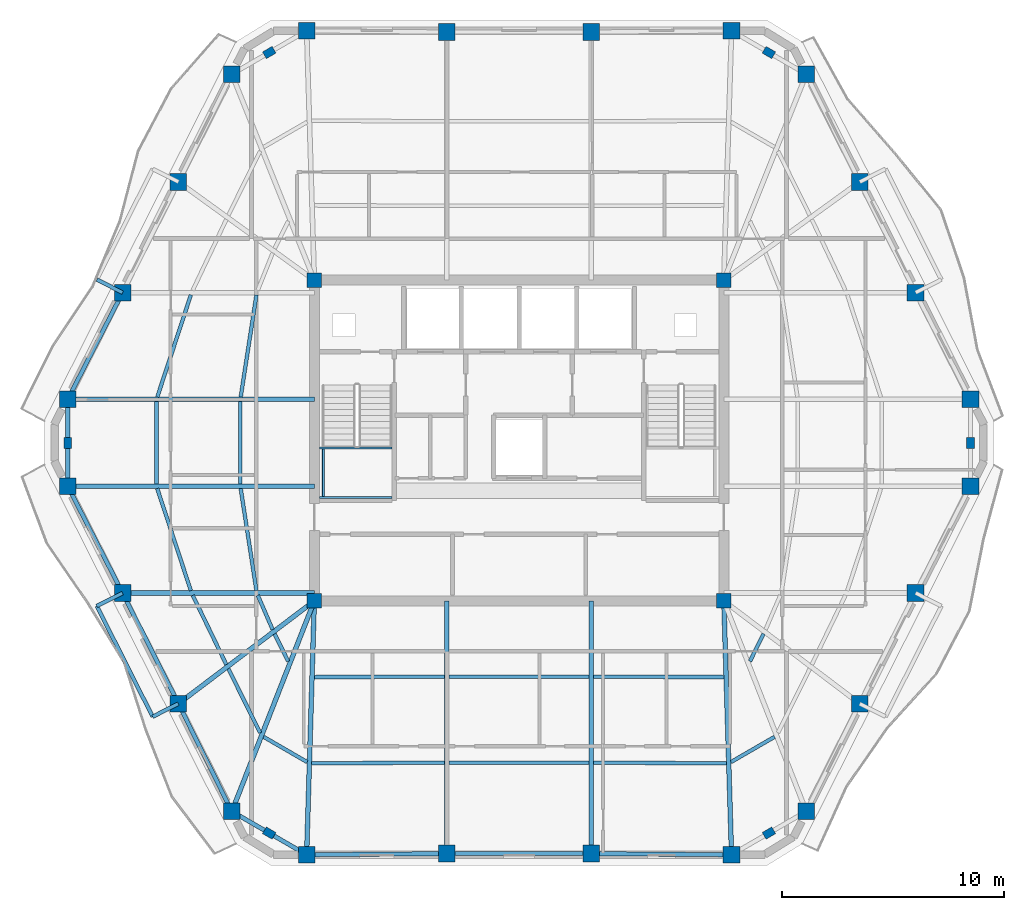
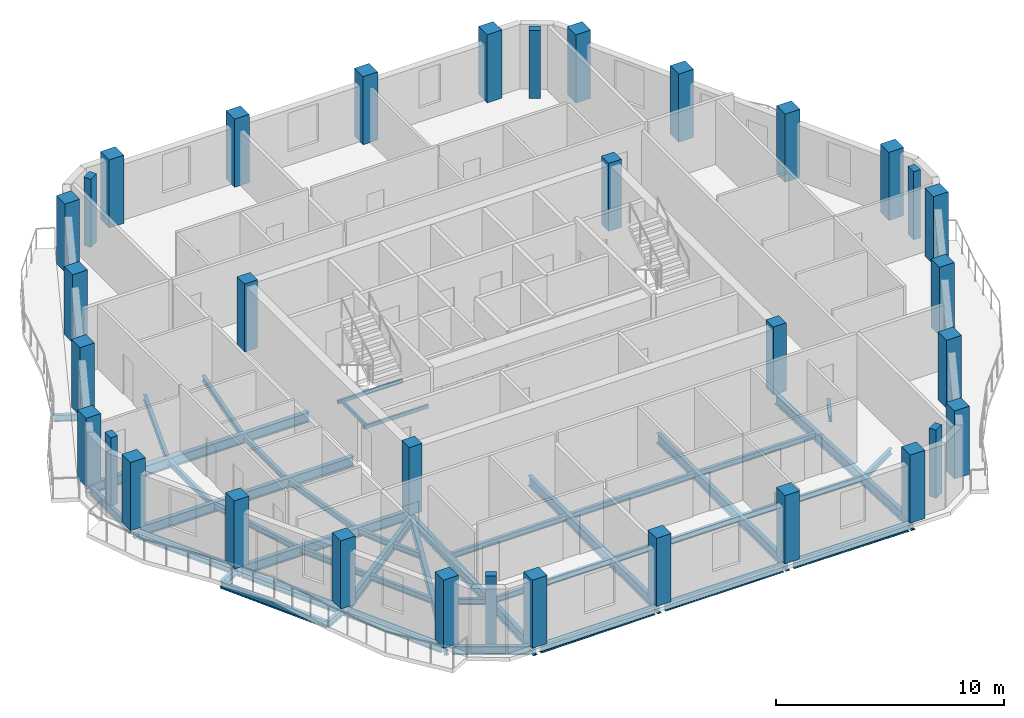
# One storey, part 1 of 12: 44 beams, 34 columns.
"""IFC4 building model written with IfcOpenShell, lengths in metres."""

import ifcopenshell
import ifcopenshell.guid

model = None  # the IFC model being written
_history = None  # IfcOwnerHistory: only IFC2X3 demands one
_inside = {}  # id of a spatial element -> (the spatial element, [elements in it])
_under = {}  # id of a project, library or spatial element -> (it, [spatial elements below it])
_declared = {}  # id of a project -> (the project, [libraries it declares])
_typed = {}  # id of a type object -> (the type object, [elements of that type])
_made_of = {}  # id of a material, layer set ... -> (it, [elements and type objects made of it])


def new_model(schema):
    """Start an empty IFC model of exactly this schema.

    Asked for "IFC4X3", IfcOpenShell would pick the latest addendum, in which some entities
    have other attributes; the version numbers below select the first issue.
    IFC2X3 requires an IfcOwnerHistory on every rooted entity: one is made here for all.
    """
    global model, _history
    if schema == "IFC4X3":
        model = ifcopenshell.file(schema_version=(4, 3, 0, 0))
    else:
        model = ifcopenshell.file(schema=schema)
    _inside.clear()
    _under.clear()
    _declared.clear()
    _typed.clear()
    _made_of.clear()
    _history = None
    if model.schema == "IFC2X3":
        org = make("IfcOrganization", Name="unknown")
        user = make(
            "IfcPersonAndOrganization",
            ThePerson=make("IfcPerson", FamilyName="unknown"),
            TheOrganization=org,
        )
        app = make(
            "IfcApplication",
            ApplicationDeveloper=org,
            Version="unknown",
            ApplicationFullName="unknown",
            ApplicationIdentifier="unknown",
        )
        _history = make(
            "IfcOwnerHistory",
            OwningUser=user,
            OwningApplication=app,
            ChangeAction="ADDED",
            CreationDate=0,
        )
    return model


def make(cls, **values):
    """One entity of the class cls with the attributes given. An attribute that is None is left unset."""
    return model.create_entity(
        cls, **{name: value for name, value in values.items() if value is not None}
    )


def rooted(cls, **values):
    """An entity with a GlobalId (a new one), such as an element, a storey or a relation."""
    return make(cls, GlobalId=ifcopenshell.guid.new(), OwnerHistory=_history, **values)


def si_unit(unit_type, name, prefix=None):
    """IfcSIUnit, for example si_unit("LENGTHUNIT", "METRE", prefix="MILLI")."""
    return make("IfcSIUnit", UnitType=unit_type, Prefix=prefix, Name=name)


def assignment(units):
    """IfcUnitAssignment: the units of a project."""
    return None if units is None else make("IfcUnitAssignment", Units=units)


def point(xyz):
    """IfcCartesianPoint."""
    return None if xyz is None else make("IfcCartesianPoint", Coordinates=xyz)


def direction(xyz):
    """IfcDirection."""
    return None if xyz is None else make("IfcDirection", DirectionRatios=xyz)


def frame(location, z_axis=None, x_axis=None):
    """IfcAxis2Placement3D, a coordinate frame: its origin and axes. An axis left out is left unset."""
    return make(
        "IfcAxis2Placement3D",
        Location=point(location),
        Axis=direction(z_axis),
        RefDirection=direction(x_axis),
    )


def frame_2d(location, x_axis=None):
    """IfcAxis2Placement2D, a coordinate frame in the plane: its origin and x axis."""
    return make(
        "IfcAxis2Placement2D", Location=point(location), RefDirection=direction(x_axis)
    )


def origin():
    """The frame at (0, 0, 0) with its axes left unset."""
    return frame((0.0, 0.0, 0.0))


def origin_2d():
    """The frame at (0, 0) in the plane with its x axis left unset."""
    return frame_2d((0.0, 0.0))


def place(relative_to, where):
    """IfcLocalPlacement: puts the frame where relative to a parent placement (None: the world)."""
    return make(
        "IfcLocalPlacement", PlacementRelTo=relative_to, RelativePlacement=where
    )


def context(
    kind, dimensions, precision=None, world=None, true_north=None, identifier=None
):
    """IfcGeometricRepresentationContext, for example the 3D "Model" context."""
    return make(
        "IfcGeometricRepresentationContext",
        ContextIdentifier=identifier,
        ContextType=kind,
        CoordinateSpaceDimension=dimensions,
        Precision=precision,
        WorldCoordinateSystem=world,
        TrueNorth=true_north,
    )


def subcontext(parent, identifier, kind, view, scale=None):
    """IfcGeometricRepresentationSubContext, for example "Body" below "Model"."""
    return make(
        "IfcGeometricRepresentationSubContext",
        ContextIdentifier=identifier,
        ContextType=kind,
        ParentContext=parent,
        TargetScale=scale,
        TargetView=view,
    )


def project(units=None, contexts=None):
    """IfcProject with its units and contexts."""
    return rooted(
        "IfcProject",
        Name="project",
        RepresentationContexts=contexts,
        UnitsInContext=assignment(units),
    )


def spatial(cls, under=None, at=None, **own):
    """A site, building, storey or space (cls), placed at a placement, below another one or the project."""
    s = rooted(cls, ObjectPlacement=at, **own)
    if under is not None:
        _under.setdefault(under.id(), (under, []))[1].append(s)
    return s


def profile(cls, at=None, kind="AREA", **sizes):
    """A parametric profile (cls). Its sizes go by their IFC names, for example OverallWidth=200.0."""
    return make(cls, ProfileType=kind, Position=at, **sizes)


def rectangle(**sizes):
    """IfcRectangleProfileDef."""
    return profile("IfcRectangleProfileDef", **sizes)


def hollow_rectangle(**sizes):
    """IfcRectangleHollowProfileDef."""
    return profile("IfcRectangleHollowProfileDef", **sizes)


def i_section(**sizes):
    """IfcIShapeProfileDef."""
    return profile("IfcIShapeProfileDef", **sizes)


def extrude(swept, where, along, depth):
    """IfcExtrudedAreaSolid: the profile swept, set in the frame where, extruded along a direction by depth."""
    return make(
        "IfcExtrudedAreaSolid",
        SweptArea=swept,
        Position=where,
        ExtrudedDirection=direction(along),
        Depth=depth,
    )


def shape(context_of_items, identifier, shape_type, items):
    """IfcShapeRepresentation: the items that make up one representation, for example the "Body"."""
    return make(
        "IfcShapeRepresentation",
        ContextOfItems=context_of_items,
        RepresentationIdentifier=identifier,
        RepresentationType=shape_type,
        Items=items,
    )


def material(Name=None, Category=None):
    """IfcMaterial."""
    return make("IfcMaterial", Name=Name, Category=Category)


def material_profile(
    of_material, cross_section, Name=None, Category=None, Priority=None
):
    """IfcMaterialProfile: a cross section and its material."""
    return make(
        "IfcMaterialProfile",
        Name=Name,
        Material=of_material,
        Profile=cross_section,
        Priority=Priority,
        Category=Category,
    )


def profile_set(profiles, Name=None, composite=None):
    """IfcMaterialProfileSet."""
    return make(
        "IfcMaterialProfileSet",
        Name=Name,
        MaterialProfiles=profiles,
        CompositeProfile=composite,
    )


def made_of(thing, what):
    """Note that an element or type object is made of a material, layer set ...; save() writes the relation."""
    if what is not None:
        _made_of.setdefault(what.id(), (what, []))[1].append(thing)
    return thing


def type_object(cls, material=None, **own):
    """A type object (cls), such as IfcWallType, which elements share."""
    return made_of(rooted(cls, **own), material)


def element(
    cls,
    number,
    at=None,
    inside=None,
    cuts=None,
    type_object=None,
    material=None,
    context=None,
    identifier="Body",
    shape_type=None,
    held_by="IfcProductDefinitionShape",
    body=None,
    shapes=None,
    **own,
):
    """One element of the class cls, such as IfcWall. Its Tag is "e" and its number.

    at: its placement. inside: the storey or other place that contains it. cuts: it is an
    opening in that element (IfcRelVoidsElement). A single representation is given by context,
    identifier, shape_type and body (its items); several are given by shapes. held_by: the class
    of the entity that holds the representations. save() writes the other relations.
    """
    e = rooted(cls, Tag="e%d" % number, ObjectPlacement=at, **own)
    if body is not None:
        shapes = [shape(context, identifier, shape_type, body)]
    if shapes is not None:
        e.Representation = make(held_by, Representations=shapes)
    if inside is not None:
        _inside.setdefault(inside.id(), (inside, []))[1].append(e)
    if cuts is not None:
        rooted(
            "IfcRelVoidsElement", RelatingBuildingElement=cuts, RelatedOpeningElement=e
        )
    if type_object is not None:
        _typed.setdefault(type_object.id(), (type_object, []))[1].append(e)
    return made_of(e, material)


def aggregate(whole, parts):
    """IfcRelAggregates: a whole, such as a stair, and the parts it consists of."""
    return rooted("IfcRelAggregates", RelatingObject=whole, RelatedObjects=parts)


def save(model, path):
    """Write the relations noted so far, then the file.

    IfcRelAggregates (storeys below a building ...), IfcRelContainedInSpatialStructure (elements
    in a storey), IfcRelDefinesByType, IfcRelAssociatesMaterial and IfcRelDeclares: one each for
    every whole, place, type object, material and project.
    """
    for whole, parts in _under.values():
        aggregate(whole, parts)
    for where, things in _inside.values():
        rooted(
            "IfcRelContainedInSpatialStructure",
            RelatedElements=things,
            RelatingStructure=where,
        )
    for kind, things in _typed.values():
        rooted("IfcRelDefinesByType", RelatedObjects=things, RelatingType=kind)
    for what, things in _made_of.values():
        rooted("IfcRelAssociatesMaterial", RelatedObjects=things, RelatingMaterial=what)
    for by, libraries in _declared.values():
        rooted("IfcRelDeclares", RelatingContext=by, RelatedDefinitions=libraries)
    model.write(path)


model = new_model("IFC4")

# Units and contexts
model_context = context("Model", 3, precision=1e-05, world=origin(), true_north=direction((0.0, 1.0)))
body_context = subcontext(model_context, "Body", "Model", "MODEL_VIEW")
ifc_project = project(units=[si_unit("LENGTHUNIT", "METRE"), si_unit("AREAUNIT", "SQUARE_METRE"), si_unit("VOLUMEUNIT", "CUBIC_METRE"), si_unit("PLANEANGLEUNIT", "RADIAN"), si_unit("MASSUNIT", "GRAM", prefix="KILO")], contexts=[model_context])

# Site, building, storey
site_placement = place(None, origin())
site = spatial("IfcSite", under=ifc_project, at=site_placement, CompositionType="ELEMENT")
building_placement = place(site_placement, origin())
building = spatial("IfcBuilding", under=site, at=building_placement, Name="Cinnabar Lancet Tower", CompositionType="ELEMENT")
storey_placement = place(building_placement, frame((0.0, 0.0, 237.949951171875)))
storey = spatial("IfcBuildingStorey", under=building, at=storey_placement, Name="L63", CompositionType="ELEMENT", Elevation=237.949951171875)

# Columns
ifc_material_1 = material(Name="Concrete C50/60", Category="concrete")
ifc_material_profile_1 = material_profile(ifc_material_1, rectangle(XDim=0.64990234375, YDim=0.64990234375, at=origin_2d()), Name="RC-COL 650x650")
ifc_profile_set_1 = profile_set([ifc_material_profile_1], Name="Concrete C50/60")
column_type_1 = type_object("IfcColumnType", Name="STR-COL-CORE-650B", PredefinedType="COLUMN", material=ifc_profile_set_1)
for number, where, z_axis, x_axis, name in (
    (1, (23.175048828125, 18.675048828125, 0.0), (0.0, 0.0, 1.0), (1.0, 0.0, 0.0), "L63 Core Corner Column SW"),
    (2, (41.625, 18.675048828125, 0.0), (0.0, 0.0, 1.0), (1.0, 0.0, 0.0), "L63 Core Corner Column SE"),
    (3, (41.625, 33.125, 0.0), (0.0, 0.0, 1.0), (1.0, 0.0, 0.0), "L63 Core Corner Column NE"),
    (4, (23.175048828125, 33.125, 0.0), (0.0, 0.0, 1.0), (1.0, 0.0, 0.0), "L63 Core Corner Column NW"),
):
    element("IfcColumn", number, at=place(storey_placement, frame(where, z_axis=z_axis, x_axis=x_axis)), inside=storey, type_object=column_type_1, Name=name, PredefinedType="COLUMN", context=body_context, shape_type="SweptSolid", body=[
        extrude(rectangle(XDim=0.64990234375, YDim=0.64990234375, at=origin_2d()), origin(), (0.0, 0.0, 1.0), 3.650146484375),
    ])
ifc_material_2 = material(Name="Concrete C60/75", Category="concrete")
ifc_material_profile_2 = material_profile(ifc_material_2, rectangle(XDim=0.5, YDim=0.35009765625, at=origin_2d()), Name="RC-PIL 500x350")
ifc_profile_set_2 = profile_set([ifc_material_profile_2], Name="Concrete C60/75")
column_type_2 = type_object("IfcColumnType", Name="STR-COL-PIL-500", PredefinedType="PILASTER", material=ifc_profile_set_2)
for number, where, z_axis, x_axis, name in (
    (5, (21.14306640625, 8.215087890625, 0.0), (0.0, 0.0, 1.0), (0.865256437757, -0.501329529272, 0.0), "L63 Chamfered Corner Pilaster 1"),
    (6, (43.656982421875, 8.215087890625, 0.0), (0.0, 0.0, 1.0), (0.865256437757, 0.501329529272, 0.0), "L63 Chamfered Corner Pilaster 2"),
    (7, (52.737060546875, 25.800048828125, 0.0), (0.0, 0.0, 1.0), (0.0, 1.0, 0.0), "L63 Chamfered Corner Pilaster 3"),
    (8, (43.656982421875, 43.385009765625, 0.0), (0.0, 0.0, 1.0), (-0.865256437757, 0.501329529272, 0.0), "L63 Chamfered Corner Pilaster 4"),
    (9, (21.14306640625, 43.385009765625, 0.0), (0.0, 0.0, 1.0), (-0.865256437757, -0.501329529272, 0.0), "L63 Chamfered Corner Pilaster 5"),
    (10, (12.06298828125, 25.800048828125, 0.0), (0.0, 0.0, 1.0), (0.0, -1.0, 0.0), "L63 Chamfered Corner Pilaster 6"),
):
    element("IfcColumn", number, at=place(storey_placement, frame(where, z_axis=z_axis, x_axis=x_axis)), inside=storey, type_object=column_type_2, Name=name, PredefinedType="PILASTER", context=body_context, shape_type="SweptSolid", body=[
        extrude(rectangle(XDim=0.5, YDim=0.35009765625, at=origin_2d()), origin(), (0.0, 0.0, 1.0), 3.650146484375),
    ])
ifc_material_3 = material(Name="Concrete C50/60", Category="concrete")
ifc_material_profile_3 = material_profile(ifc_material_3, rectangle(XDim=0.75, YDim=0.75, at=origin_2d()), Name="RC-COL 750x750")
ifc_profile_set_3 = profile_set([ifc_material_profile_3], Name="Concrete C50/60")
column_type_3 = type_object("IfcColumnType", Name="STR-COL-TUBE-750", PredefinedType="COLUMN", material=ifc_profile_set_3)
for number, where, z_axis, x_axis, name in (
    (11, (22.827880859375, 7.239013671875, 0.0), (0.0, 0.0, 1.0), (1.0, 0.0, 0.0), "L63 Perimeter Tube Column 1"),
    (12, (29.14599609375, 7.2919921875, 0.0), (0.0, 0.0, 1.0), (1.0, 0.0, 0.0), "L63 Perimeter Tube Column 2"),
    (13, (35.654052734375, 7.2919921875, 0.0), (0.0, 0.0, 1.0), (1.0, 0.0, 0.0), "L63 Perimeter Tube Column 3"),
    (14, (41.971923828125, 7.239013671875, 0.0), (0.0, 0.0, 1.0), (1.0, 0.0, 0.0), "L63 Perimeter Tube Column 4"),
    (15, (45.341064453125, 9.19091796875, 0.0), (0.0, 0.0, 1.0), (1.0, 0.0, 0.0), "L63 Perimeter Tube Column 5"),
    (16, (47.7490234375, 14.0458984375, 0.0), (0.0, 0.0, 1.0), (1.0, 0.0, 0.0), "L63 Perimeter Tube Column 6"),
    (17, (50.263916015625, 19.032958984375, 0.0), (0.0, 0.0, 1.0), (1.0, 0.0, 0.0), "L63 Perimeter Tube Column 7"),
    (18, (52.737060546875, 23.844970703125, 0.0), (0.0, 0.0, 1.0), (1.0, 0.0, 0.0), "L63 Perimeter Tube Column 8"),
    (19, (52.737060546875, 27.7548828125, 0.0), (0.0, 0.0, 1.0), (1.0, 0.0, 0.0), "L63 Perimeter Tube Column 9"),
    (20, (50.263916015625, 32.56689453125, 0.0), (0.0, 0.0, 1.0), (1.0, 0.0, 0.0), "L63 Perimeter Tube Column 10"),
    (21, (47.7490234375, 37.553955078125, 0.0), (0.0, 0.0, 1.0), (1.0, 0.0, 0.0), "L63 Perimeter Tube Column 11"),
    (22, (45.341064453125, 42.408935546875, 0.0), (0.0, 0.0, 1.0), (1.0, 0.0, 0.0), "L63 Perimeter Tube Column 12"),
    (23, (41.971923828125, 44.361083984375, 0.0), (0.0, 0.0, 1.0), (1.0, 0.0, 0.0), "L63 Perimeter Tube Column 13"),
    (24, (35.654052734375, 44.30810546875, 0.0), (0.0, 0.0, 1.0), (1.0, 0.0, 0.0), "L63 Perimeter Tube Column 14"),
    (25, (29.14599609375, 44.30810546875, 0.0), (0.0, 0.0, 1.0), (1.0, 0.0, 0.0), "L63 Perimeter Tube Column 15"),
    (26, (22.827880859375, 44.361083984375, 0.0), (0.0, 0.0, 1.0), (1.0, 0.0, 0.0), "L63 Perimeter Tube Column 16"),
    (27, (19.458984375, 42.408935546875, 0.0), (0.0, 0.0, 1.0), (1.0, 0.0, 0.0), "L63 Perimeter Tube Column 17"),
    (28, (17.051025390625, 37.553955078125, 0.0), (0.0, 0.0, 1.0), (1.0, 0.0, 0.0), "L63 Perimeter Tube Column 18"),
    (29, (14.535888671875, 32.56689453125, 0.0), (0.0, 0.0, 1.0), (1.0, 0.0, 0.0), "L63 Perimeter Tube Column 19"),
    (30, (12.06298828125, 27.7548828125, 0.0), (0.0, 0.0, 1.0), (1.0, 0.0, 0.0), "L63 Perimeter Tube Column 20"),
    (31, (12.06298828125, 23.844970703125, 0.0), (0.0, 0.0, 1.0), (1.0, 0.0, 0.0), "L63 Perimeter Tube Column 21"),
    (32, (14.535888671875, 19.032958984375, 0.0), (0.0, 0.0, 1.0), (1.0, 0.0, 0.0), "L63 Perimeter Tube Column 22"),
    (33, (17.051025390625, 14.0458984375, 0.0), (0.0, 0.0, 1.0), (1.0, 0.0, 0.0), "L63 Perimeter Tube Column 23"),
    (34, (19.458984375, 9.19091796875, 0.0), (0.0, 0.0, 1.0), (1.0, 0.0, 0.0), "L63 Perimeter Tube Column 24"),
):
    element("IfcColumn", number, at=place(storey_placement, frame(where, z_axis=z_axis, x_axis=x_axis)), inside=storey, type_object=column_type_3, Name=name, PredefinedType="COLUMN", context=body_context, shape_type="SweptSolid", body=[
        extrude(rectangle(XDim=0.75, YDim=0.75, at=origin_2d()), origin(), (0.0, 0.0, 1.0), 3.650146484375),
    ])

# Beams
ifc_material_4 = material(Name="Structural steel S355", Category="steel")
ifc_material_profile_4 = material_profile(ifc_material_4, i_section(OverallWidth=0.1650390625, OverallDepth=0.303466796875, WebThickness=0.006103515625, FlangeThickness=0.01025390625, FilletRadius=0.0087890625, at=origin_2d()), Name="UKB 305x165x40")
ifc_profile_set_4 = profile_set([ifc_material_profile_4], Name="Structural steel S355")
beam_type_1 = type_object("IfcBeamType", Name="STR-BM-JST-305", PredefinedType="JOIST", material=ifc_profile_set_4)
beam_1_placement = place(storey_placement, frame((16.097900390625, 23.739990234375, -0.35205078125), z_axis=(0.312536616989, -0.949905712711, 0.0), x_axis=(0.949905712711, 0.312536616989, 0.0)))
element("IfcBeam", 35, at=beam_1_placement, inside=storey, type_object=beam_type_1, Name="L63 Secondary Floor Joist 1", PredefinedType="JOIST", context=body_context, shape_type="SweptSolid", body=[
    extrude(i_section(OverallWidth=0.1650390625, OverallDepth=0.303466796875, WebThickness=0.006103515625, FlangeThickness=0.01025390625, FilletRadius=0.0087890625, at=origin_2d()), origin(), (0.0, 0.0, 1.0), 4.8447265625),
])
beam_2_placement = place(storey_placement, frame((19.85791015625, 23.739990234375, -0.35205078125), z_axis=(0.152262059154, -0.988340156698, 0.0), x_axis=(0.988340156698, 0.152262059154, 0.0)))
element("IfcBeam", 36, at=beam_2_placement, inside=storey, type_object=beam_type_1, Name="L63 Secondary Floor Joist 2", PredefinedType="JOIST", context=body_context, shape_type="SweptSolid", body=[
    extrude(i_section(OverallWidth=0.1650390625, OverallDepth=0.303466796875, WebThickness=0.006103515625, FlangeThickness=0.01025390625, FilletRadius=0.0087890625, at=origin_2d()), origin(), (0.0, 0.0, 1.0), 4.65625),
])
beam_3_placement = place(storey_placement, frame((17.697021484375, 18.927978515625, -0.35205078125), z_axis=(0.43610936109, -0.899893674369, 0.0), x_axis=(0.899893674369, 0.43610936109, 0.0)))
element("IfcBeam", 37, at=beam_3_placement, inside=storey, type_object=beam_type_1, Name="L63 Secondary Floor Joist 3", PredefinedType="JOIST", context=body_context, shape_type="SweptSolid", body=[
    extrude(i_section(OverallWidth=0.1650390625, OverallDepth=0.303466796875, WebThickness=0.006103515625, FlangeThickness=0.01025390625, FilletRadius=0.0087890625, at=origin_2d()), origin(), (0.0, 0.0, 1.0), 3.467041015625),
])
beam_4_placement = place(storey_placement, frame((20.62890625, 18.927978515625, -0.35205078125), z_axis=(0.396302440144, -0.91812002262, 0.0), x_axis=(0.91812002262, 0.396302440144, 0.0)))
element("IfcBeam", 38, at=beam_4_placement, inside=storey, type_object=beam_type_1, Name="L63 Secondary Floor Joist 4", PredefinedType="JOIST", context=body_context, shape_type="SweptSolid", body=[
    extrude(i_section(OverallWidth=0.1650390625, OverallDepth=0.303466796875, WebThickness=0.006103515625, FlangeThickness=0.01025390625, FilletRadius=0.0087890625, at=origin_2d()), origin(), (0.0, 0.0, 1.0), 1.6806640625),
])
beam_5_placement = place(storey_placement, frame((19.302978515625, 15.616943359375, -0.35205078125), z_axis=(0.444330443712, -0.895862967641, 0.0), x_axis=(0.895862967641, 0.444330443712, 0.0)))
element("IfcBeam", 39, at=beam_5_placement, inside=storey, type_object=beam_type_1, Name="L63 Secondary Floor Joist 5", PredefinedType="JOIST", context=body_context, shape_type="SweptSolid", body=[
    extrude(i_section(OverallWidth=0.1650390625, OverallDepth=0.303466796875, WebThickness=0.006103515625, FlangeThickness=0.01025390625, FilletRadius=0.0087890625, at=origin_2d()), origin(), (0.0, 0.0, 1.0), 3.220458984375),
])
beam_6_placement = place(storey_placement, frame((21.385009765625, 17.19091796875, -0.35205078125), z_axis=(0.444093192127, -0.89598060063, 0.0), x_axis=(0.89598060063, 0.444093192127, 0.0)))
element("IfcBeam", 40, at=beam_6_placement, inside=storey, type_object=beam_type_1, Name="L63 Secondary Floor Joist 6", PredefinedType="JOIST", context=body_context, shape_type="SweptSolid", body=[
    extrude(i_section(OverallWidth=0.1650390625, OverallDepth=0.303466796875, WebThickness=0.006103515625, FlangeThickness=0.01025390625, FilletRadius=0.0087890625, at=origin_2d()), origin(), (0.0, 0.0, 1.0), 1.378173828125),
])
beam_7_placement = place(storey_placement, frame((20.887939453125, 12.552001953125, -0.35205078125), z_axis=(0.865426285481, -0.501036270542, 0.0), x_axis=(0.501036270542, 0.865426285481, 0.0)))
element("IfcBeam", 41, at=beam_7_placement, inside=storey, type_object=beam_type_1, Name="L63 Secondary Floor Joist 7", PredefinedType="JOIST", context=body_context, shape_type="SweptSolid", body=[
    extrude(i_section(OverallWidth=0.1650390625, OverallDepth=0.303466796875, WebThickness=0.006103515625, FlangeThickness=0.01025390625, FilletRadius=0.0087890625, at=origin_2d()), origin(), (0.0, 0.0, 1.0), 2.267333984375),
])
beam_8_placement = place(storey_placement, frame((23.05810546875, 11.35693359375, -0.35205078125), z_axis=(0.999985712428, 0.005345553266, 0.0), x_axis=(-0.005345553266, 0.999985712428, 0.0)))
element("IfcBeam", 42, at=beam_8_placement, inside=storey, type_object=beam_type_1, Name="L63 Secondary Floor Joist 8", PredefinedType="JOIST", context=body_context, shape_type="SweptSolid", body=[
    extrude(i_section(OverallWidth=0.1650390625, OverallDepth=0.303466796875, WebThickness=0.006103515625, FlangeThickness=0.01025390625, FilletRadius=0.0087890625, at=origin_2d()), origin(), (0.0, 0.0, 1.0), 5.98291015625),
])
beam_9_placement = place(storey_placement, frame((23.176025390625, 15.243896484375, -0.35205078125), z_axis=(0.999996226008, 0.002747356738, 0.0), x_axis=(-0.002747356738, 0.999996226008, 0.0)))
element("IfcBeam", 43, at=beam_9_placement, inside=storey, type_object=beam_type_1, Name="L63 Secondary Floor Joist 9", PredefinedType="JOIST", context=body_context, shape_type="SweptSolid", body=[
    extrude(i_section(OverallWidth=0.1650390625, OverallDepth=0.303466796875, WebThickness=0.006103515625, FlangeThickness=0.01025390625, FilletRadius=0.0087890625, at=origin_2d()), origin(), (0.0, 0.0, 1.0), 5.864990234375),
])
for number, where, z_axis, x_axis, name in (
    (44, (29.2509765625, 11.389892578125, -0.35205078125), (1.0, 0.0, 0.0), (0.0, 1.0, 0.0), "L63 Secondary Floor Joist 10"),
    (45, (29.2509765625, 15.260009765625, -0.35205078125), (1.0, 0.0, 0.0), (0.0, 1.0, 0.0), "L63 Secondary Floor Joist 11"),
):
    element("IfcBeam", number, at=place(storey_placement, frame(where, z_axis=z_axis, x_axis=x_axis)), inside=storey, type_object=beam_type_1, Name=name, PredefinedType="JOIST", context=body_context, shape_type="SweptSolid", body=[
        extrude(i_section(OverallWidth=0.1650390625, OverallDepth=0.303466796875, WebThickness=0.006103515625, FlangeThickness=0.01025390625, FilletRadius=0.0087890625, at=origin_2d()), origin(), (0.0, 0.0, 1.0), 6.298095703125),
    ])
beam_10_placement = place(storey_placement, frame((35.759033203125, 11.388916015625, -0.35205078125), z_axis=(0.999985712428, -0.005345553266, 0.0), x_axis=(0.005345553266, 0.999985712428, 0.0)))
element("IfcBeam", 46, at=beam_10_placement, inside=storey, type_object=beam_type_1, Name="L63 Secondary Floor Joist 12", PredefinedType="JOIST", context=body_context, shape_type="SweptSolid", body=[
    extrude(i_section(OverallWidth=0.1650390625, OverallDepth=0.303466796875, WebThickness=0.006103515625, FlangeThickness=0.01025390625, FilletRadius=0.0087890625, at=origin_2d()), origin(), (0.0, 0.0, 1.0), 5.98291015625),
])
beam_11_placement = place(storey_placement, frame((35.759033203125, 15.260009765625, -0.35205078125), z_axis=(0.999996226008, -0.002747356738, 0.0), x_axis=(0.002747356738, 0.999996226008, 0.0)))
element("IfcBeam", 47, at=beam_11_placement, inside=storey, type_object=beam_type_1, Name="L63 Secondary Floor Joist 13", PredefinedType="JOIST", context=body_context, shape_type="SweptSolid", body=[
    extrude(i_section(OverallWidth=0.1650390625, OverallDepth=0.303466796875, WebThickness=0.006103515625, FlangeThickness=0.01025390625, FilletRadius=0.0087890625, at=origin_2d()), origin(), (0.0, 0.0, 1.0), 5.864990234375),
])
beam_12_placement = place(storey_placement, frame((41.949951171875, 11.416015625, -0.35205078125), z_axis=(0.865426285481, 0.501036270542, 0.0), x_axis=(-0.501036270542, 0.865426285481, 0.0)))
element("IfcBeam", 48, at=beam_12_placement, inside=storey, type_object=beam_type_1, Name="L63 Secondary Floor Joist 14", PredefinedType="JOIST", context=body_context, shape_type="SweptSolid", body=[
    extrude(i_section(OverallWidth=0.1650390625, OverallDepth=0.303466796875, WebThickness=0.006103515625, FlangeThickness=0.01025390625, FilletRadius=0.0087890625, at=origin_2d()), origin(), (0.0, 0.0, 1.0), 2.267333984375),
])
beam_13_placement = place(storey_placement, frame((42.802978515625, 15.9560546875, -0.35205078125), z_axis=(0.444093192127, 0.89598060063, 0.0), x_axis=(-0.89598060063, 0.444093192127, 0.0)))
element("IfcBeam", 49, at=beam_13_placement, inside=storey, type_object=beam_type_1, Name="L63 Secondary Floor Joist 16", PredefinedType="JOIST", context=body_context, shape_type="SweptSolid", body=[
    extrude(i_section(OverallWidth=0.1650390625, OverallDepth=0.303466796875, WebThickness=0.006103515625, FlangeThickness=0.01025390625, FilletRadius=0.0087890625, at=origin_2d()), origin(), (0.0, 0.0, 1.0), 1.378173828125),
])
beam_14_placement = place(storey_placement, frame((17.612060546875, 32.4619140625, -0.35205078125), z_axis=(-0.312551578319, -0.949900790025, 0.0), x_axis=(0.949900790025, -0.312551578319, 0.0)))
element("IfcBeam", 50, at=beam_14_placement, inside=storey, type_object=beam_type_1, Name="L63 Secondary Floor Joist 41", PredefinedType="JOIST", context=body_context, shape_type="SweptSolid", body=[
    extrude(i_section(OverallWidth=0.1650390625, OverallDepth=0.303466796875, WebThickness=0.006103515625, FlangeThickness=0.01025390625, FilletRadius=0.0087890625, at=origin_2d()), origin(), (0.0, 0.0, 1.0), 4.844482421875),
])
beam_15_placement = place(storey_placement, frame((20.56689453125, 32.4619140625, -0.35205078125), z_axis=(-0.152269949853, -0.988338941038, 0.0), x_axis=(0.988338941038, -0.152269949853, 0.0)))
element("IfcBeam", 51, at=beam_15_placement, inside=storey, type_object=beam_type_1, Name="L63 Secondary Floor Joist 42", PredefinedType="JOIST", context=body_context, shape_type="SweptSolid", body=[
    extrude(i_section(OverallWidth=0.1650390625, OverallDepth=0.303466796875, WebThickness=0.006103515625, FlangeThickness=0.01025390625, FilletRadius=0.0087890625, at=origin_2d()), origin(), (0.0, 0.0, 1.0), 4.656005859375),
])
for number, where, z_axis, x_axis, name in (
    (52, (16.06298828125, 27.64990234375, -0.35205078125), (0.0, -1.0, 0.0), (1.0, 0.0, 0.0), "L63 Secondary Floor Joist 43"),
    (53, (19.841064453125, 27.64990234375, -0.35205078125), (0.0, -1.0, 0.0), (1.0, 0.0, 0.0), "L63 Secondary Floor Joist 44"),
):
    element("IfcBeam", number, at=place(storey_placement, frame(where, z_axis=z_axis, x_axis=x_axis)), inside=storey, type_object=beam_type_1, Name=name, PredefinedType="JOIST", context=body_context, shape_type="SweptSolid", body=[
        extrude(i_section(OverallWidth=0.1650390625, OverallDepth=0.303466796875, WebThickness=0.006103515625, FlangeThickness=0.01025390625, FilletRadius=0.0087890625, at=origin_2d()), origin(), (0.0, 0.0, 1.0), 3.699951171875),
    ])
ifc_material_5 = material(Name="Structural steel S355", Category="steel")
ifc_material_profile_5 = material_profile(ifc_material_5, hollow_rectangle(XDim=0.10009765625, YDim=0.199951171875, WallThickness=0.008056640625, InnerFilletRadius=0.00390625, OuterFilletRadius=0.011962890625, at=origin_2d()), Name="RHS 200x100x8")
ifc_profile_set_5 = profile_set([ifc_material_profile_5], Name="Structural steel S355")
beam_type_2 = type_object("IfcBeamType", Name="STR-BM-LND-203", PredefinedType="BEAM", material=ifc_profile_set_5)
for number, where, z_axis, x_axis, name in (
    (54, (23.39990234375, 23.330078125, 1.525146484375), (1.0, 0.0, 0.0), (0.0, 1.0, 0.0), "L63 ST-1-L63 Landing Support Beam S"),
    (55, (23.39990234375, 25.570068359375, 1.525146484375), (1.0, 0.0, 0.0), (0.0, 1.0, 0.0), "L63 ST-1-L63 Landing Support Beam N"),
):
    element("IfcBeam", number, at=place(storey_placement, frame(where, z_axis=z_axis, x_axis=x_axis)), inside=storey, type_object=beam_type_2, Name=name, PredefinedType="BEAM", context=body_context, shape_type="SweptSolid", body=[
        extrude(hollow_rectangle(XDim=0.10009765625, YDim=0.199951171875, WallThickness=0.008056640625, InnerFilletRadius=0.00390625, OuterFilletRadius=0.011962890625, at=origin_2d()), origin(), (0.0, 0.0, 1.0), 3.280029296875),
    ])
beam_16_placement = place(storey_placement, frame((23.580078125, 23.3798828125, 1.525146484375), z_axis=(0.0, 1.0, 0.0), x_axis=(-1.0, 0.0, 0.0)))
element("IfcBeam", 56, at=beam_16_placement, inside=storey, type_object=beam_type_2, Name="L63 ST-1-L63 Landing Side Trimmer Beam", PredefinedType="BEAM", context=body_context, shape_type="SweptSolid", body=[
    extrude(hollow_rectangle(XDim=0.10009765625, YDim=0.199951171875, WallThickness=0.008056640625, InnerFilletRadius=0.00390625, OuterFilletRadius=0.011962890625, at=origin_2d()), origin(), (0.0, 0.0, 1.0), 2.14013671875),
])
ifc_material_6 = material(Name="Structural steel S355", Category="steel")
ifc_material_profile_6 = material_profile(ifc_material_6, i_section(OverallWidth=0.1904296875, OverallDepth=0.45703125, WebThickness=0.009033203125, FlangeThickness=0.014404296875, FilletRadius=0.01025390625, at=origin_2d()), Name="UKB 457x191x74")
ifc_profile_set_6 = profile_set([ifc_material_profile_6], Name="Structural steel S355")
beam_type_3 = type_object("IfcBeamType", Name="STR-BM-SPN-457", PredefinedType="SPANDREL", material=ifc_profile_set_6)
beam_17_placement = place(storey_placement, frame((23.077880859375, 7.240966796875, -0.427978515625), z_axis=(0.999964432412, 0.008434092187, 0.0), x_axis=(-0.008434092187, 0.999964432412, 0.0)))
element("IfcBeam", 57, at=beam_17_placement, inside=storey, type_object=beam_type_3, Name="L63 Perimeter Spandrel 1", PredefinedType="SPANDREL", context=body_context, shape_type="SweptSolid", body=[
    extrude(i_section(OverallWidth=0.1904296875, OverallDepth=0.45703125, WebThickness=0.009033203125, FlangeThickness=0.014404296875, FilletRadius=0.01025390625, at=origin_2d()), origin(), (0.0, 0.0, 1.0), 5.818359375),
])
beam_18_placement = place(storey_placement, frame((29.39599609375, 7.2919921875, -0.427978515625), z_axis=(1.0, 0.0, 0.0), x_axis=(0.0, 1.0, 0.0)))
element("IfcBeam", 58, at=beam_18_placement, inside=storey, type_object=beam_type_3, Name="L63 Perimeter Spandrel 2", PredefinedType="SPANDREL", context=body_context, shape_type="SweptSolid", body=[
    extrude(i_section(OverallWidth=0.1904296875, OverallDepth=0.45703125, WebThickness=0.009033203125, FlangeThickness=0.014404296875, FilletRadius=0.01025390625, at=origin_2d()), origin(), (0.0, 0.0, 1.0), 6.008056640625),
])
beam_19_placement = place(storey_placement, frame((35.904052734375, 7.2900390625, -0.427978515625), z_axis=(0.999964429427, -0.00843444609, 0.0), x_axis=(0.00843444609, 0.999964429427, 0.0)))
element("IfcBeam", 59, at=beam_19_placement, inside=storey, type_object=beam_type_3, Name="L63 Perimeter Spandrel 3", PredefinedType="SPANDREL", context=body_context, shape_type="SweptSolid", body=[
    extrude(i_section(OverallWidth=0.1904296875, OverallDepth=0.45703125, WebThickness=0.009033203125, FlangeThickness=0.014404296875, FilletRadius=0.01025390625, at=origin_2d()), origin(), (0.0, 0.0, 1.0), 5.818115234375),
])
beam_20_placement = place(storey_placement, frame((14.422119140625, 32.344970703125, -0.427978515625), z_axis=(-0.457148063427, -0.889390604912, 0.0), x_axis=(0.889390604912, -0.457148063427, 0.0)))
element("IfcBeam", 60, at=beam_20_placement, inside=storey, type_object=beam_type_3, Name="L63 Perimeter Spandrel 19", PredefinedType="SPANDREL", context=body_context, shape_type="SweptSolid", body=[
    extrude(i_section(OverallWidth=0.1904296875, OverallDepth=0.45703125, WebThickness=0.009033203125, FlangeThickness=0.014404296875, FilletRadius=0.01025390625, at=origin_2d()), origin(), (0.0, 0.0, 1.0), 4.9111328125),
])
beam_21_placement = place(storey_placement, frame((12.06298828125, 27.5048828125, -0.427978515625), z_axis=(0.0, -1.0, 0.0), x_axis=(1.0, 0.0, 0.0)))
element("IfcBeam", 61, at=beam_21_placement, inside=storey, type_object=beam_type_3, Name="L63 Perimeter Spandrel 20", PredefinedType="SPANDREL", context=body_context, shape_type="SweptSolid", body=[
    extrude(i_section(OverallWidth=0.1904296875, OverallDepth=0.45703125, WebThickness=0.009033203125, FlangeThickness=0.014404296875, FilletRadius=0.01025390625, at=origin_2d()), origin(), (0.0, 0.0, 1.0), 3.409912109375),
])
beam_22_placement = place(storey_placement, frame((12.177001953125, 23.623046875, -0.427978515625), z_axis=(0.457127852293, -0.889400993174, 0.0), x_axis=(0.889400993174, 0.457127852293, 0.0)))
element("IfcBeam", 62, at=beam_22_placement, inside=storey, type_object=beam_type_3, Name="L63 Perimeter Spandrel 21", PredefinedType="SPANDREL", context=body_context, shape_type="SweptSolid", body=[
    extrude(i_section(OverallWidth=0.1904296875, OverallDepth=0.45703125, WebThickness=0.009033203125, FlangeThickness=0.014404296875, FilletRadius=0.01025390625, at=origin_2d()), origin(), (0.0, 0.0, 1.0), 4.911376953125),
])
beam_23_placement = place(storey_placement, frame((14.64892578125, 18.81005859375, -0.427978515625), z_axis=(0.450130146726, -0.892962961722, 0.0), x_axis=(0.892962961722, 0.450130146726, 0.0)))
element("IfcBeam", 63, at=beam_23_placement, inside=storey, type_object=beam_type_3, Name="L63 Perimeter Spandrel 22", PredefinedType="SPANDREL", context=body_context, shape_type="SweptSolid", body=[
    extrude(i_section(OverallWidth=0.1904296875, OverallDepth=0.45703125, WebThickness=0.009033203125, FlangeThickness=0.014404296875, FilletRadius=0.01025390625, at=origin_2d()), origin(), (0.0, 0.0, 1.0), 5.08544921875),
])
beam_24_placement = place(storey_placement, frame((17.162109375, 13.822021484375, -0.427978515625), z_axis=(0.44433276947, -0.895861814107, 0.0), x_axis=(0.895861814107, 0.44433276947, 0.0)))
element("IfcBeam", 64, at=beam_24_placement, inside=storey, type_object=beam_type_3, Name="L63 Perimeter Spandrel 23", PredefinedType="SPANDREL", context=body_context, shape_type="SweptSolid", body=[
    extrude(i_section(OverallWidth=0.1904296875, OverallDepth=0.45703125, WebThickness=0.009033203125, FlangeThickness=0.014404296875, FilletRadius=0.01025390625, at=origin_2d()), origin(), (0.0, 0.0, 1.0), 4.919189453125),
])
beam_25_placement = place(storey_placement, frame((19.675048828125, 9.06591796875, -0.427978515625), z_axis=(0.865230894194, -0.50137361292, 0.0), x_axis=(0.50137361292, 0.865230894194, 0.0)))
element("IfcBeam", 65, at=beam_25_placement, inside=storey, type_object=beam_type_3, Name="L63 Perimeter Spandrel 24", PredefinedType="SPANDREL", context=body_context, shape_type="SweptSolid", body=[
    extrude(i_section(OverallWidth=0.1904296875, OverallDepth=0.45703125, WebThickness=0.009033203125, FlangeThickness=0.014404296875, FilletRadius=0.01025390625, at=origin_2d()), origin(), (0.0, 0.0, 1.0), 3.39453125),
])
ifc_material_7 = material(Name="Structural steel S355", Category="steel")
ifc_material_profile_7 = material_profile(ifc_material_7, i_section(OverallWidth=0.209228515625, OverallDepth=0.533203125, WebThickness=0.010009765625, FlangeThickness=0.015625, FilletRadius=0.0126953125, at=origin_2d()), Name="UKB 533x210x92")
ifc_profile_set_7 = profile_set([ifc_material_profile_7], Name="Structural steel S355")
beam_type_4 = type_object("IfcBeamType", Name="STR-BM-UKB533-92", PredefinedType="BEAM", material=ifc_profile_set_7)
beam_26_placement = place(storey_placement, frame((17.051025390625, 14.0458984375, -0.467041015625), z_axis=(0.797735075719, 0.603008083667, 0.0), x_axis=(-0.603008083667, 0.797735075719, 0.0)))
element("IfcBeam", 66, at=beam_26_placement, inside=storey, type_object=beam_type_4, Name="L63 Corner Collector Girder 1", PredefinedType="BEAM", context=body_context, shape_type="SweptSolid", body=[
    extrude(i_section(OverallWidth=0.209228515625, OverallDepth=0.533203125, WebThickness=0.010009765625, FlangeThickness=0.015625, FilletRadius=0.0126953125, at=origin_2d()), origin(), (0.0, 0.0, 1.0), 7.6767578125),
])
beam_27_placement = place(storey_placement, frame((22.827880859375, 7.239013671875, -0.467041015625), z_axis=(0.030343393029, 0.999539533235, 0.0), x_axis=(-0.999539533235, 0.030343393029, 0.0)))
element("IfcBeam", 67, at=beam_27_placement, inside=storey, type_object=beam_type_4, Name="L63 Primary Floor Girder 1", PredefinedType="BEAM", context=body_context, shape_type="SweptSolid", body=[
    extrude(i_section(OverallWidth=0.209228515625, OverallDepth=0.533203125, WebThickness=0.010009765625, FlangeThickness=0.015625, FilletRadius=0.0126953125, at=origin_2d()), origin(), (0.0, 0.0, 1.0), 11.44140625),
])
for number, where, z_axis, x_axis, name in (
    (68, (29.14599609375, 7.2919921875, -0.467041015625), (0.0, 1.0, 0.0), (-1.0, 0.0, 0.0), "L63 Primary Floor Girder 2"),
    (69, (35.654052734375, 7.2919921875, -0.467041015625), (0.0, 1.0, 0.0), (-1.0, 0.0, 0.0), "L63 Primary Floor Girder 3"),
):
    element("IfcBeam", number, at=place(storey_placement, frame(where, z_axis=z_axis, x_axis=x_axis)), inside=storey, type_object=beam_type_4, Name=name, PredefinedType="BEAM", context=body_context, shape_type="SweptSolid", body=[
        extrude(i_section(OverallWidth=0.209228515625, OverallDepth=0.533203125, WebThickness=0.010009765625, FlangeThickness=0.015625, FilletRadius=0.0126953125, at=origin_2d()), origin(), (0.0, 0.0, 1.0), 11.383056640625),
    ])
beam_28_placement = place(storey_placement, frame((41.971923828125, 7.239013671875, -0.467041015625), z_axis=(-0.030322074123, 0.999540180193, 0.0), x_axis=(-0.999540180193, -0.030322074123, 0.0)))
element("IfcBeam", 70, at=beam_28_placement, inside=storey, type_object=beam_type_4, Name="L63 Primary Floor Girder 4", PredefinedType="BEAM", context=body_context, shape_type="SweptSolid", body=[
    extrude(i_section(OverallWidth=0.209228515625, OverallDepth=0.533203125, WebThickness=0.010009765625, FlangeThickness=0.015625, FilletRadius=0.0126953125, at=origin_2d()), origin(), (0.0, 0.0, 1.0), 11.44140625),
])
for number, where, z_axis, x_axis, name in (
    (71, (12.06298828125, 27.7548828125, -0.467041015625), (1.0, 0.0, 0.0), (0.0, 1.0, 0.0), "L63 Primary Floor Girder 20"),
    (72, (12.06298828125, 23.844970703125, -0.467041015625), (1.0, 0.0, 0.0), (0.0, 1.0, 0.0), "L63 Primary Floor Girder 21"),
):
    element("IfcBeam", number, at=place(storey_placement, frame(where, z_axis=z_axis, x_axis=x_axis)), inside=storey, type_object=beam_type_4, Name=name, PredefinedType="BEAM", context=body_context, shape_type="SweptSolid", body=[
        extrude(i_section(OverallWidth=0.209228515625, OverallDepth=0.533203125, WebThickness=0.010009765625, FlangeThickness=0.015625, FilletRadius=0.0126953125, at=origin_2d()), origin(), (0.0, 0.0, 1.0), 11.112060546875),
    ])
beam_29_placement = place(storey_placement, frame((14.535888671875, 19.032958984375, -0.467041015625), z_axis=(1.0, 0.0, 0.0), x_axis=(0.0, 1.0, 0.0)))
element("IfcBeam", 73, at=beam_29_placement, inside=storey, type_object=beam_type_4, Name="L63 Primary Floor Girder 22", PredefinedType="BEAM", context=body_context, shape_type="SweptSolid", body=[
    extrude(i_section(OverallWidth=0.209228515625, OverallDepth=0.533203125, WebThickness=0.010009765625, FlangeThickness=0.015625, FilletRadius=0.0126953125, at=origin_2d()), origin(), (0.0, 0.0, 1.0), 8.63916015625),
])
beam_30_placement = place(storey_placement, frame((19.458984375, 9.19091796875, -0.467041015625), z_axis=(0.364815017375, 0.931080019707, 0.0), x_axis=(-0.931080019707, 0.364815017375, 0.0)))
element("IfcBeam", 74, at=beam_30_placement, inside=storey, type_object=beam_type_4, Name="L63 Primary Floor Girder 24", PredefinedType="BEAM", context=body_context, shape_type="SweptSolid", body=[
    extrude(i_section(OverallWidth=0.209228515625, OverallDepth=0.533203125, WebThickness=0.010009765625, FlangeThickness=0.015625, FilletRadius=0.0126953125, at=origin_2d()), origin(), (0.0, 0.0, 1.0), 10.186279296875),
])
ifc_material_8 = material(Name="Structural steel S355", Category="steel")
ifc_material_profile_8 = material_profile(ifc_material_8, i_section(OverallWidth=0.17138671875, OverallDepth=0.35498046875, WebThickness=0.00732421875, FlangeThickness=0.011474609375, FilletRadius=0.01025390625, at=origin_2d()), Name="UKB 356x171x51")
ifc_profile_set_8 = profile_set([ifc_material_profile_8], Name="Structural steel S355")
beam_type_5 = type_object("IfcBeamType", Name="STR-BM-WAV-OUT", PredefinedType="BEAM", material=ifc_profile_set_8)
for number, where, z_axis, x_axis, name in (
    (75, (14.535888671875, 32.56689453125, -0.39794921875), (-0.892200264127, 0.451639998995, 0.0), (-0.451639998995, -0.892200264127, 0.0), "L63 Face 5 Balcony Outlooker B"),
    (76, (14.535888671875, 19.032958984375, -0.39794921875), (-0.89227592947, -0.451490493464, 0.0), (0.451490493464, -0.89227592947, 0.0), "L63 Face 6 Balcony Outlooker A"),
    (77, (17.051025390625, 14.0458984375, -0.39794921875), (-0.89227592947, -0.451490493464, 0.0), (0.451490493464, -0.89227592947, 0.0), "L63 Face 6 Balcony Outlooker B"),
):
    element("IfcBeam", number, at=place(storey_placement, frame(where, z_axis=z_axis, x_axis=x_axis)), inside=storey, type_object=beam_type_5, Name=name, PredefinedType="BEAM", context=body_context, shape_type="SweptSolid", body=[
        extrude(i_section(OverallWidth=0.17138671875, OverallDepth=0.35498046875, WebThickness=0.00732421875, FlangeThickness=0.011474609375, FilletRadius=0.01025390625, at=origin_2d()), origin(), (0.0, 0.0, 1.0), 1.300048828125),
    ])
ifc_material_9 = material(Name="Structural steel S355", Category="steel")
ifc_material_profile_9 = material_profile(ifc_material_9, i_section(OverallWidth=0.17138671875, OverallDepth=0.35498046875, WebThickness=0.00732421875, FlangeThickness=0.011474609375, FilletRadius=0.01025390625, at=origin_2d()), Name="UKB 356x171x51")
ifc_profile_set_9 = profile_set([ifc_material_profile_9], Name="Structural steel S355")
beam_type_6 = type_object("IfcBeamType", Name="STR-BM-WAV-TRIM", PredefinedType="SPANDREL", material=ifc_profile_set_9)
beam_31_placement = place(storey_placement, frame((13.3759765625, 18.446044921875, -0.39794921875), z_axis=(0.450305622338, -0.892874485295, 0.0), x_axis=(0.892874485295, 0.450305622338, 0.0)))
element("IfcBeam", 78, at=beam_31_placement, inside=storey, type_object=beam_type_6, Name="L63 Face 6 Balcony Edge Trimmer", PredefinedType="SPANDREL", context=body_context, shape_type="SweptSolid", body=[
    extrude(i_section(OverallWidth=0.17138671875, OverallDepth=0.35498046875, WebThickness=0.00732421875, FlangeThickness=0.011474609375, FilletRadius=0.01025390625, at=origin_2d()), origin(), (0.0, 0.0, 1.0), 5.58544921875),
])

save(model, "model.ifc")
